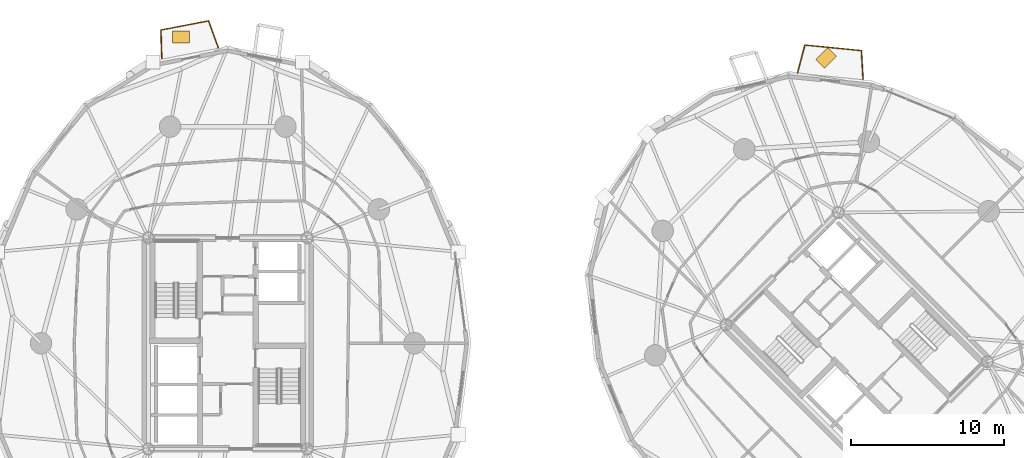
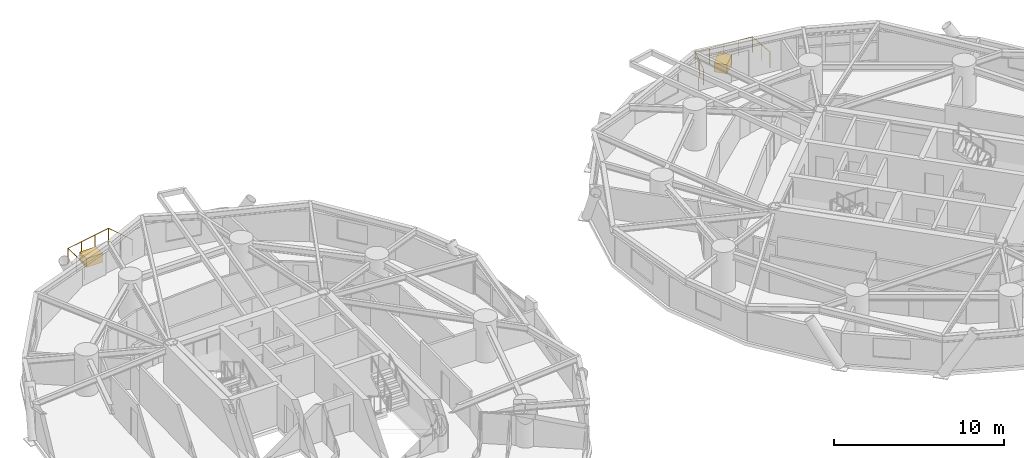
# One storey, part 18 of 18: 2 coverings, 2 railings.
"""IFC4 building model written with IfcOpenShell, lengths in metres."""

from ifc_helpers import new_model, si_unit, direction, frame, origin, origin_2d, place, context, subcontext, project, spatial, rectangle, circle, extrude, source, transform, mapped, material, layer, layer_set, type_object, element, save


model = new_model("IFC4")

# Units and contexts
model_context = context("Model", 3, precision=1e-05, world=origin(), true_north=direction((0.0, 1.0)))
body_context = subcontext(model_context, "Body", "Model", "MODEL_VIEW")
ifc_project = project(units=[si_unit("LENGTHUNIT", "METRE"), si_unit("AREAUNIT", "SQUARE_METRE"), si_unit("VOLUMEUNIT", "CUBIC_METRE"), si_unit("PLANEANGLEUNIT", "RADIAN"), si_unit("MASSUNIT", "GRAM", prefix="KILO")], contexts=[model_context])

# Site, building, storey
site_placement = place(None, origin())
site = spatial("IfcSite", under=ifc_project, at=site_placement, CompositionType="ELEMENT")
building_placement = place(site_placement, origin())
building = spatial("IfcBuilding", under=site, at=building_placement, Name="Cununo Teusaquillo Station Towers", CompositionType="ELEMENT")
storey_placement = place(building_placement, frame((0.0, 0.0, 93.429931640625)))
storey = spatial("IfcBuildingStorey", under=building, at=storey_placement, Name="L29", CompositionType="ELEMENT", Elevation=93.429931640625)

# Railings
ifc_material_1 = material(Name="Anodised dark bronze aluminium EN AW-6063-T6", Category="aluminium")
railing_type = type_object("IfcRailingType", Name="RL-EXT-GUARD", PredefinedType="GUARDRAIL", material=ifc_material_1)
railing_1_placement = place(storey_placement, frame((12.20166015625, 43.060546875, 0.0)))
element("IfcRailing", 1, at=railing_1_placement, inside=storey, type_object=railing_type, Name="L29 Tower A Balcony Guardrail C05", PredefinedType="GUARDRAIL", context=body_context, shape_type="SweptSolid", body=[
    extrude(circle(Radius=0.02392578125, at=origin_2d()), frame((0.0, 0.0, 1.1259765625), z_axis=(-0.030662031384, 0.999529809376, 0.0), x_axis=(-0.999529809376, -0.030662031384, 0.0)), (0.0, 0.0, 1.0), 1.86328125),
    extrude(circle(Radius=0.02392578125, at=origin_2d()), frame((-0.05712890625, 1.8623046875, 1.1259765625), z_axis=(0.981834317938, 0.189740275429, 0.0), x_axis=(-0.189740275429, 0.981834317938, 0.0)), (0.0, 0.0, 1.0), 3.15380859375),
    extrude(circle(Radius=0.02392578125, at=origin_2d()), frame((3.039306640625, 2.460693359375, 1.1259765625), z_axis=(0.343962021681, -0.9389835609, 0.0), x_axis=(0.9389835609, 0.343962021681, 0.0)), (0.0, 0.0, 1.0), 1.86328125),
    extrude(circle(Radius=0.02099609375, at=origin_2d()), origin(), (0.0, 0.0, 1.0), 1.101806640625),
    extrude(circle(Radius=0.02099609375, at=origin_2d()), frame((-0.028564453125, 0.93115234375, 0.0)), (0.0, 0.0, 1.0), 1.101806640625),
    extrude(circle(Radius=0.02099609375, at=origin_2d()), frame((-0.05712890625, 1.8623046875, 0.0)), (0.0, 0.0, 1.0), 1.101806640625),
    extrude(circle(Radius=0.02099609375, at=origin_2d()), frame((0.97509765625, 2.061767578125, 0.0)), (0.0, 0.0, 1.0), 1.101806640625),
    extrude(circle(Radius=0.02099609375, at=origin_2d()), frame((2.007080078125, 2.26123046875, 0.0)), (0.0, 0.0, 1.0), 1.101806640625),
    extrude(circle(Radius=0.02099609375, at=origin_2d()), frame((3.039306640625, 2.460693359375, 0.0)), (0.0, 0.0, 1.0), 1.101806640625),
    extrude(circle(Radius=0.02099609375, at=origin_2d()), frame((3.35986328125, 1.5859375, 0.0)), (0.0, 0.0, 1.0), 1.101806640625),
    extrude(circle(Radius=0.02099609375, at=origin_2d()), frame((3.68017578125, 0.711181640625, 0.0)), (0.0, 0.0, 1.0), 1.101806640625),
])
railing_2_placement = place(storey_placement, frame((53.64697265625, 42.13671875, 0.0)))
element("IfcRailing", 2, at=railing_2_placement, inside=storey, type_object=railing_type, Name="L29 Tower B Balcony Guardrail C02", PredefinedType="GUARDRAIL", context=body_context, shape_type="SweptSolid", body=[
    extrude(circle(Radius=0.02392578125, at=origin_2d()), frame((0.0, 0.0, 1.1259765625), z_axis=(0.255835186295, 0.966720413281, 0.0), x_axis=(-0.966720413281, 0.255835186295, 0.0)), (0.0, 0.0, 1.0), 1.871337890625),
    extrude(circle(Radius=0.02392578125, at=origin_2d()), frame((0.478759765625, 1.80908203125, 1.1259765625), z_axis=(0.99512777892, -0.098593628704, 0.0), x_axis=(0.098593628704, 0.99512777892, 0.0)), (0.0, 0.0, 1.0), 3.692138671875),
    extrude(circle(Radius=0.02392578125, at=origin_2d()), frame((4.15283203125, 1.445068359375, 1.1259765625), z_axis=(0.061184331575, -0.998126483753, 0.0), x_axis=(0.998126483753, 0.061184331575, 0.0)), (0.0, 0.0, 1.0), 1.871337890625),
    extrude(circle(Radius=0.02099609375, at=origin_2d()), origin(), (0.0, 0.0, 1.0), 1.101806640625),
    extrude(circle(Radius=0.02099609375, at=origin_2d()), frame((0.2392578125, 0.904541015625, 0.0)), (0.0, 0.0, 1.0), 1.101806640625),
    extrude(circle(Radius=0.02099609375, at=origin_2d()), frame((0.478759765625, 1.80908203125, 0.0)), (0.0, 0.0, 1.0), 1.101806640625),
    extrude(circle(Radius=0.02099609375, at=origin_2d()), frame((1.397216796875, 1.718017578125, 0.0)), (0.0, 0.0, 1.0), 1.101806640625),
    extrude(circle(Radius=0.02099609375, at=origin_2d()), frame((2.31591796875, 1.626953125, 0.0)), (0.0, 0.0, 1.0), 1.101806640625),
    extrude(circle(Radius=0.02099609375, at=origin_2d()), frame((3.234375, 1.5361328125, 0.0)), (0.0, 0.0, 1.0), 1.101806640625),
    extrude(circle(Radius=0.02099609375, at=origin_2d()), frame((4.15283203125, 1.445068359375, 0.0)), (0.0, 0.0, 1.0), 1.101806640625),
    extrude(circle(Radius=0.02099609375, at=origin_2d()), frame((4.2099609375, 0.51123046875, 0.0)), (0.0, 0.0, 1.0), 1.101806640625),
    extrude(circle(Radius=0.02099609375, at=origin_2d()), frame((4.267333984375, -0.4228515625, 0.0)), (0.0, 0.0, 1.0), 1.101806640625),
])

# Coverings
ifc_material_2 = material(Name="Architectural GRC planter shell and engineered root-zone substrate", Category="concrete")
ifc_layer = layer(ifc_material_2, 0.64990234375)
ifc_layer_set = layer_set([ifc_layer], Name="Architectural GRC planter shell and engineered root-zone substrate")
covering_type = type_object("IfcCoveringType", Name="COV-TREE-PLANTER", PredefinedType="CLADDING", material=ifc_layer_set)
shared_shape = source(origin(), body_context, "Body", "SweptSolid", [
    extrude(rectangle(XDim=1.10009765625, YDim=0.800048828125, at=origin_2d()), origin(), (0.0, 0.0, 1.0), 0.64990234375),
])
for number, where, z_axis, x_axis, name in (
    (3, (13.4462890625, 44.468505859375, 0.0), (0.0, 0.0, 1.0), (1.0, 0.0, 0.0), "L29 Tower A Balcony Tree PLANTER C05"),
    (4, (55.510986328125, 43.107666015625, 0.0), (0.0, 0.0, 1.0), (0.707106781187, 0.707106781187, 0.0), "L29 Tower B Balcony Tree PLANTER C02"),
):
    element("IfcCovering", number, at=place(storey_placement, frame(where, z_axis=z_axis, x_axis=x_axis)), inside=storey, type_object=covering_type, Name=name, PredefinedType="CLADDING", context=body_context, shape_type="MappedRepresentation", body=[
        mapped(shared_shape, transform((0.0, 0.0, 0.0), x_axis=(1.0, 0.0, 0.0), y_axis=(0.0, 1.0, 0.0), z_axis=(0.0, 0.0, 1.0), scale=1.0)),
    ])

save(model, "model.ifc")
